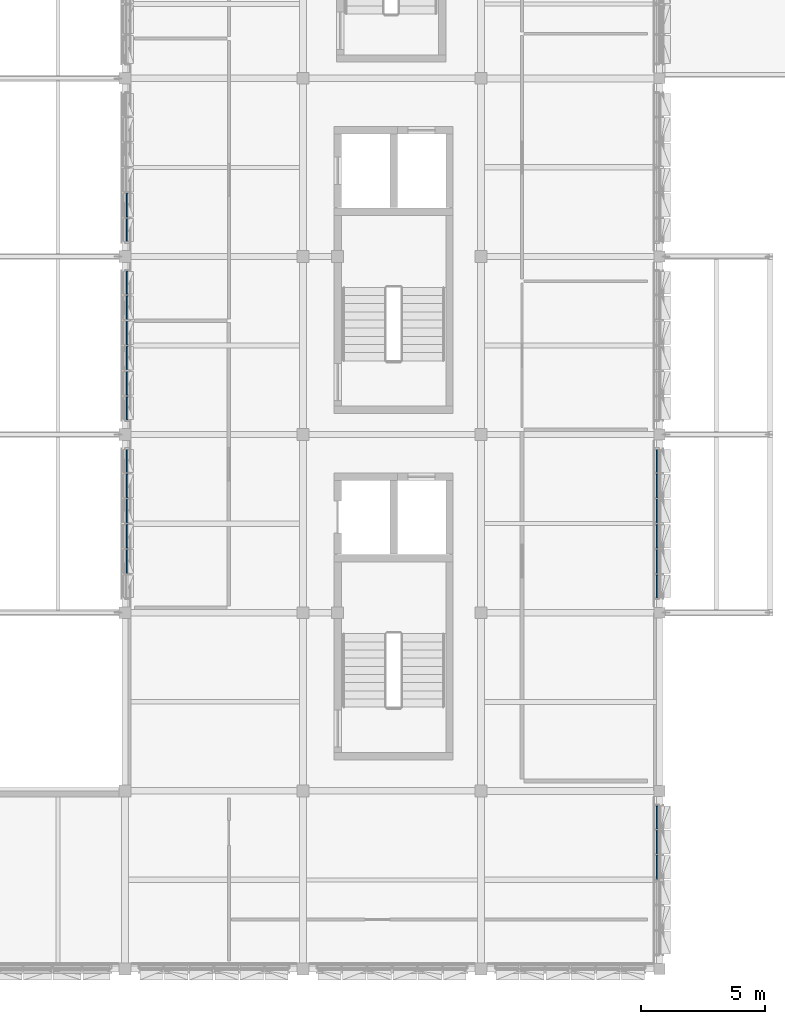
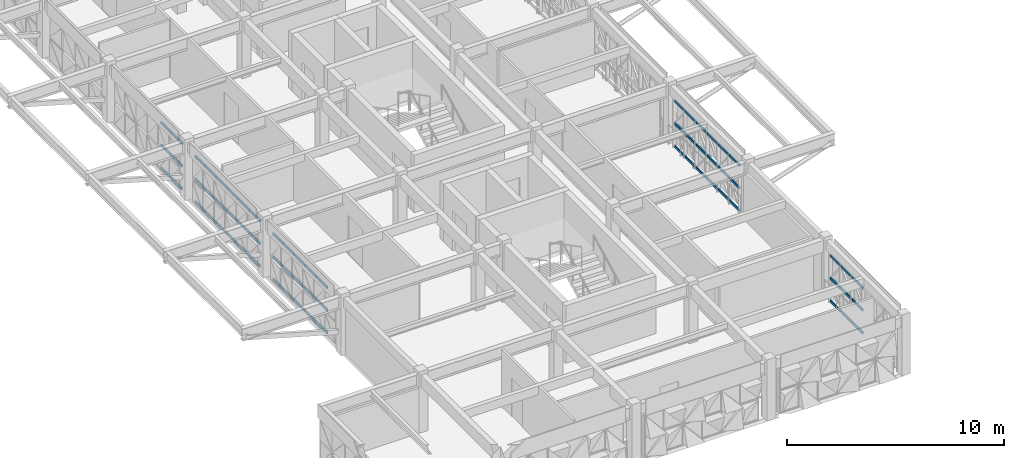
# One storey, part 8 of 30: 66 members, 5 elements without a shape of their own.
"""IFC4 building model written with IfcOpenShell, lengths in metres."""

from ifc_helpers import new_model, si_unit, direction, frame, origin, origin_2d, place, context, subcontext, project, spatial, rectangle, extrude, material, material_profile, profile_set, type_object, element, aggregate, save


model = new_model("IFC4")

# Units and contexts
model_context = context("Model", 3, precision=1e-05, world=origin(), true_north=direction((0.0, 1.0)))
body_context = subcontext(model_context, "Body", "Model", "MODEL_VIEW")
ifc_project = project(units=[si_unit("LENGTHUNIT", "METRE"), si_unit("AREAUNIT", "SQUARE_METRE"), si_unit("VOLUMEUNIT", "CUBIC_METRE"), si_unit("PLANEANGLEUNIT", "RADIAN"), si_unit("MASSUNIT", "GRAM", prefix="KILO")], contexts=[model_context])

# Site, building, storey
site_placement = place(None, origin())
site = spatial("IfcSite", under=ifc_project, at=site_placement, CompositionType="ELEMENT")
building_placement = place(site_placement, origin())
building = spatial("IfcBuilding", under=site, at=building_placement, Name="Alvorim Cloister Faculty of Sciences", CompositionType="ELEMENT")
storey_placement = place(building_placement, frame((0.0, 0.0, 26.25)))
storey = spatial("IfcBuildingStorey", under=building, at=storey_placement, Name="L07", CompositionType="ELEMENT", Elevation=26.25)

# Curtain wall, members
ifc_material_1 = material(Name="Aluminium and Low-E Glass Curtain Wall", Category="aluminium")
curtain_wall_type = type_object("IfcCurtainWallType", Name="CW-TRI-6120x2700", PredefinedType="USERDEFINED", material=ifc_material_1)
curtain_wall_1_placement = place(storey_placement, origin())
curtain_wall_1 = element("IfcCurtainWall", 1, at=curtain_wall_1_placement, inside=storey, type_object=curtain_wall_type, Name="L07 Diagonal Cassette Curtain Wall CW-0267", ObjectType="UNITISED CURTAIN WALL", PredefinedType="USERDEFINED")
ifc_material_2 = material(Name="Aluminium Alloy 6063-T6", Category="aluminium")
ifc_material_profile = material_profile(ifc_material_2, rectangle(XDim=0.06494140625, YDim=0.139892578125, at=origin_2d()), Name="ALU-TRN-65x140")
ifc_profile_set = profile_set([ifc_material_profile], Name="Aluminium Alloy 6063-T6")
member_type = type_object("IfcMemberType", Name="CW-TRN-65x140", PredefinedType="USERDEFINED", material=ifc_profile_set)
member_1_placement = place(storey_placement, frame((7.2900390625, 23.1923828125, 0.070068359375), z_axis=(0.0, 1.0, 0.0), x_axis=(-1.0, 0.0, 0.0)))
member_1 = element("IfcMember", 2, at=member_1_placement, type_object=member_type, Name="CW-0267 Transom 2.1", ObjectType="TRANSOM", PredefinedType="USERDEFINED", context=body_context, shape_type="SweptSolid", body=[
    extrude(rectangle(XDim=0.06494140625, YDim=0.139892578125, at=origin_2d()), origin(), (0.0, 0.0, 1.0), 0.955078125),
])
member_2_placement = place(storey_placement, frame((7.2900390625, 23.1923828125, 1.35009765625), z_axis=(0.0, 1.0, 0.0), x_axis=(-1.0, 0.0, 0.0)))
member_2 = element("IfcMember", 3, at=member_2_placement, type_object=member_type, Name="CW-0267 Transom 2.2", ObjectType="TRANSOM", PredefinedType="USERDEFINED", context=body_context, shape_type="SweptSolid", body=[
    extrude(rectangle(XDim=0.06494140625, YDim=0.139892578125, at=origin_2d()), origin(), (0.0, 0.0, 1.0), 0.955078125),
])
member_3_placement = place(storey_placement, frame((7.2900390625, 23.1923828125, 2.6298828125), z_axis=(0.0, 1.0, 0.0), x_axis=(-1.0, 0.0, 0.0)))
member_3 = element("IfcMember", 4, at=member_3_placement, type_object=member_type, Name="CW-0267 Transom 2.3", ObjectType="TRANSOM", PredefinedType="USERDEFINED", context=body_context, shape_type="SweptSolid", body=[
    extrude(rectangle(XDim=0.06494140625, YDim=0.139892578125, at=origin_2d()), origin(), (0.0, 0.0, 1.0), 0.955078125),
])
member_4_placement = place(storey_placement, frame((7.2900390625, 24.21240234375, 0.070068359375), z_axis=(0.0, 1.0, 0.0), x_axis=(-1.0, 0.0, 0.0)))
member_4 = element("IfcMember", 5, at=member_4_placement, type_object=member_type, Name="CW-0267 Transom 3.1", ObjectType="TRANSOM", PredefinedType="USERDEFINED", context=body_context, shape_type="SweptSolid", body=[
    extrude(rectangle(XDim=0.06494140625, YDim=0.139892578125, at=origin_2d()), origin(), (0.0, 0.0, 1.0), 0.955078125),
])
member_5_placement = place(storey_placement, frame((7.2900390625, 24.21240234375, 1.35009765625), z_axis=(0.0, 1.0, 0.0), x_axis=(-1.0, 0.0, 0.0)))
member_5 = element("IfcMember", 6, at=member_5_placement, type_object=member_type, Name="CW-0267 Transom 3.2", ObjectType="TRANSOM", PredefinedType="USERDEFINED", context=body_context, shape_type="SweptSolid", body=[
    extrude(rectangle(XDim=0.06494140625, YDim=0.139892578125, at=origin_2d()), origin(), (0.0, 0.0, 1.0), 0.955078125),
])
member_6_placement = place(storey_placement, frame((7.2900390625, 24.21240234375, 2.6298828125), z_axis=(0.0, 1.0, 0.0), x_axis=(-1.0, 0.0, 0.0)))
member_6 = element("IfcMember", 7, at=member_6_placement, type_object=member_type, Name="CW-0267 Transom 3.3", ObjectType="TRANSOM", PredefinedType="USERDEFINED", context=body_context, shape_type="SweptSolid", body=[
    extrude(rectangle(XDim=0.06494140625, YDim=0.139892578125, at=origin_2d()), origin(), (0.0, 0.0, 1.0), 0.955078125),
])
member_7_placement = place(storey_placement, frame((7.2900390625, 25.232421875, 0.070068359375), z_axis=(0.0, 1.0, 0.0), x_axis=(-1.0, 0.0, 0.0)))
member_7 = element("IfcMember", 8, at=member_7_placement, type_object=member_type, Name="CW-0267 Transom 4.1", ObjectType="TRANSOM", PredefinedType="USERDEFINED", context=body_context, shape_type="SweptSolid", body=[
    extrude(rectangle(XDim=0.06494140625, YDim=0.139892578125, at=origin_2d()), origin(), (0.0, 0.0, 1.0), 0.955078125),
])
member_8_placement = place(storey_placement, frame((7.2900390625, 25.232421875, 1.35009765625), z_axis=(0.0, 1.0, 0.0), x_axis=(-1.0, 0.0, 0.0)))
member_8 = element("IfcMember", 9, at=member_8_placement, type_object=member_type, Name="CW-0267 Transom 4.2", ObjectType="TRANSOM", PredefinedType="USERDEFINED", context=body_context, shape_type="SweptSolid", body=[
    extrude(rectangle(XDim=0.06494140625, YDim=0.139892578125, at=origin_2d()), origin(), (0.0, 0.0, 1.0), 0.955078125),
])
member_9_placement = place(storey_placement, frame((7.2900390625, 25.232421875, 2.6298828125), z_axis=(0.0, 1.0, 0.0), x_axis=(-1.0, 0.0, 0.0)))
member_9 = element("IfcMember", 10, at=member_9_placement, type_object=member_type, Name="CW-0267 Transom 4.3", ObjectType="TRANSOM", PredefinedType="USERDEFINED", context=body_context, shape_type="SweptSolid", body=[
    extrude(rectangle(XDim=0.06494140625, YDim=0.139892578125, at=origin_2d()), origin(), (0.0, 0.0, 1.0), 0.955078125),
])
member_10_placement = place(storey_placement, frame((7.2900390625, 26.25244140625, 0.070068359375), z_axis=(0.0, 1.0, 0.0), x_axis=(-1.0, 0.0, 0.0)))
member_10 = element("IfcMember", 11, at=member_10_placement, type_object=member_type, Name="CW-0267 Transom 5.1", ObjectType="TRANSOM", PredefinedType="USERDEFINED", context=body_context, shape_type="SweptSolid", body=[
    extrude(rectangle(XDim=0.06494140625, YDim=0.139892578125, at=origin_2d()), origin(), (0.0, 0.0, 1.0), 0.955078125),
])
member_11_placement = place(storey_placement, frame((7.2900390625, 26.25244140625, 1.35009765625), z_axis=(0.0, 1.0, 0.0), x_axis=(-1.0, 0.0, 0.0)))
member_11 = element("IfcMember", 12, at=member_11_placement, type_object=member_type, Name="CW-0267 Transom 5.2", ObjectType="TRANSOM", PredefinedType="USERDEFINED", context=body_context, shape_type="SweptSolid", body=[
    extrude(rectangle(XDim=0.06494140625, YDim=0.139892578125, at=origin_2d()), origin(), (0.0, 0.0, 1.0), 0.955078125),
])
member_12_placement = place(storey_placement, frame((7.2900390625, 26.25244140625, 2.6298828125), z_axis=(0.0, 1.0, 0.0), x_axis=(-1.0, 0.0, 0.0)))
member_12 = element("IfcMember", 13, at=member_12_placement, type_object=member_type, Name="CW-0267 Transom 5.3", ObjectType="TRANSOM", PredefinedType="USERDEFINED", context=body_context, shape_type="SweptSolid", body=[
    extrude(rectangle(XDim=0.06494140625, YDim=0.139892578125, at=origin_2d()), origin(), (0.0, 0.0, 1.0), 0.955078125),
])
member_13_placement = place(storey_placement, frame((7.2900390625, 27.2724609375, 0.070068359375), z_axis=(0.0, 1.0, 0.0), x_axis=(-1.0, 0.0, 0.0)))
member_13 = element("IfcMember", 14, at=member_13_placement, type_object=member_type, Name="CW-0267 Transom 6.1", ObjectType="TRANSOM", PredefinedType="USERDEFINED", context=body_context, shape_type="SweptSolid", body=[
    extrude(rectangle(XDim=0.06494140625, YDim=0.139892578125, at=origin_2d()), origin(), (0.0, 0.0, 1.0), 0.922607421875),
])
member_14_placement = place(storey_placement, frame((7.2900390625, 27.2724609375, 1.35009765625), z_axis=(0.0, 1.0, 0.0), x_axis=(-1.0, 0.0, 0.0)))
member_14 = element("IfcMember", 15, at=member_14_placement, type_object=member_type, Name="CW-0267 Transom 6.2", ObjectType="TRANSOM", PredefinedType="USERDEFINED", context=body_context, shape_type="SweptSolid", body=[
    extrude(rectangle(XDim=0.06494140625, YDim=0.139892578125, at=origin_2d()), origin(), (0.0, 0.0, 1.0), 0.922607421875),
])
member_15_placement = place(storey_placement, frame((7.2900390625, 27.2724609375, 2.6298828125), z_axis=(0.0, 1.0, 0.0), x_axis=(-1.0, 0.0, 0.0)))
member_15 = element("IfcMember", 16, at=member_15_placement, type_object=member_type, Name="CW-0267 Transom 6.3", ObjectType="TRANSOM", PredefinedType="USERDEFINED", context=body_context, shape_type="SweptSolid", body=[
    extrude(rectangle(XDim=0.06494140625, YDim=0.139892578125, at=origin_2d()), origin(), (0.0, 0.0, 1.0), 0.922607421875),
])
aggregate(curtain_wall_1, [member_1, member_2, member_3, member_4, member_5, member_6, member_7, member_8, member_9, member_10, member_11, member_12, member_13, member_14, member_15])

curtain_wall_2_placement = place(storey_placement, origin())
curtain_wall_2 = element("IfcCurtainWall", 17, at=curtain_wall_2_placement, inside=storey, type_object=curtain_wall_type, Name="L07 Diagonal Cassette Curtain Wall CW-0268", ObjectType="UNITISED CURTAIN WALL", PredefinedType="USERDEFINED")
member_16_placement = place(storey_placement, frame((7.2900390625, 29.405029296875, 0.070068359375), z_axis=(0.0, 1.0, 0.0), x_axis=(-1.0, 0.0, 0.0)))
member_16 = element("IfcMember", 18, at=member_16_placement, type_object=member_type, Name="CW-0268 Transom 1.1", ObjectType="TRANSOM", PredefinedType="USERDEFINED", context=body_context, shape_type="SweptSolid", body=[
    extrude(rectangle(XDim=0.06494140625, YDim=0.139892578125, at=origin_2d()), origin(), (0.0, 0.0, 1.0), 0.92236328125),
])
member_17_placement = place(storey_placement, frame((7.2900390625, 29.405029296875, 1.35009765625), z_axis=(0.0, 1.0, 0.0), x_axis=(-1.0, 0.0, 0.0)))
member_17 = element("IfcMember", 19, at=member_17_placement, type_object=member_type, Name="CW-0268 Transom 1.2", ObjectType="TRANSOM", PredefinedType="USERDEFINED", context=body_context, shape_type="SweptSolid", body=[
    extrude(rectangle(XDim=0.06494140625, YDim=0.139892578125, at=origin_2d()), origin(), (0.0, 0.0, 1.0), 0.92236328125),
])
member_18_placement = place(storey_placement, frame((7.2900390625, 29.405029296875, 2.6298828125), z_axis=(0.0, 1.0, 0.0), x_axis=(-1.0, 0.0, 0.0)))
member_18 = element("IfcMember", 20, at=member_18_placement, type_object=member_type, Name="CW-0268 Transom 1.3", ObjectType="TRANSOM", PredefinedType="USERDEFINED", context=body_context, shape_type="SweptSolid", body=[
    extrude(rectangle(XDim=0.06494140625, YDim=0.139892578125, at=origin_2d()), origin(), (0.0, 0.0, 1.0), 0.92236328125),
])
member_19_placement = place(storey_placement, frame((7.2900390625, 30.392578125, 0.070068359375), z_axis=(0.0, 1.0, 0.0), x_axis=(-1.0, 0.0, 0.0)))
member_19 = element("IfcMember", 21, at=member_19_placement, type_object=member_type, Name="CW-0268 Transom 2.1", ObjectType="TRANSOM", PredefinedType="USERDEFINED", context=body_context, shape_type="SweptSolid", body=[
    extrude(rectangle(XDim=0.06494140625, YDim=0.139892578125, at=origin_2d()), origin(), (0.0, 0.0, 1.0), 0.954833984375),
])
member_20_placement = place(storey_placement, frame((7.2900390625, 30.392578125, 1.35009765625), z_axis=(0.0, 1.0, 0.0), x_axis=(-1.0, 0.0, 0.0)))
member_20 = element("IfcMember", 22, at=member_20_placement, type_object=member_type, Name="CW-0268 Transom 2.2", ObjectType="TRANSOM", PredefinedType="USERDEFINED", context=body_context, shape_type="SweptSolid", body=[
    extrude(rectangle(XDim=0.06494140625, YDim=0.139892578125, at=origin_2d()), origin(), (0.0, 0.0, 1.0), 0.954833984375),
])
member_21_placement = place(storey_placement, frame((7.2900390625, 30.392578125, 2.6298828125), z_axis=(0.0, 1.0, 0.0), x_axis=(-1.0, 0.0, 0.0)))
member_21 = element("IfcMember", 23, at=member_21_placement, type_object=member_type, Name="CW-0268 Transom 2.3", ObjectType="TRANSOM", PredefinedType="USERDEFINED", context=body_context, shape_type="SweptSolid", body=[
    extrude(rectangle(XDim=0.06494140625, YDim=0.139892578125, at=origin_2d()), origin(), (0.0, 0.0, 1.0), 0.954833984375),
])
member_22_placement = place(storey_placement, frame((7.2900390625, 31.41259765625, 0.070068359375), z_axis=(0.0, 1.0, 0.0), x_axis=(-1.0, 0.0, 0.0)))
member_22 = element("IfcMember", 24, at=member_22_placement, type_object=member_type, Name="CW-0268 Transom 3.1", ObjectType="TRANSOM", PredefinedType="USERDEFINED", context=body_context, shape_type="SweptSolid", body=[
    extrude(rectangle(XDim=0.06494140625, YDim=0.139892578125, at=origin_2d()), origin(), (0.0, 0.0, 1.0), 0.954833984375),
])
member_23_placement = place(storey_placement, frame((7.2900390625, 31.41259765625, 1.35009765625), z_axis=(0.0, 1.0, 0.0), x_axis=(-1.0, 0.0, 0.0)))
member_23 = element("IfcMember", 25, at=member_23_placement, type_object=member_type, Name="CW-0268 Transom 3.2", ObjectType="TRANSOM", PredefinedType="USERDEFINED", context=body_context, shape_type="SweptSolid", body=[
    extrude(rectangle(XDim=0.06494140625, YDim=0.139892578125, at=origin_2d()), origin(), (0.0, 0.0, 1.0), 0.954833984375),
])
member_24_placement = place(storey_placement, frame((7.2900390625, 31.41259765625, 2.6298828125), z_axis=(0.0, 1.0, 0.0), x_axis=(-1.0, 0.0, 0.0)))
member_24 = element("IfcMember", 26, at=member_24_placement, type_object=member_type, Name="CW-0268 Transom 3.3", ObjectType="TRANSOM", PredefinedType="USERDEFINED", context=body_context, shape_type="SweptSolid", body=[
    extrude(rectangle(XDim=0.06494140625, YDim=0.139892578125, at=origin_2d()), origin(), (0.0, 0.0, 1.0), 0.954833984375),
])
member_25_placement = place(storey_placement, frame((7.2900390625, 32.4326171875, 0.070068359375), z_axis=(0.0, 1.0, 0.0), x_axis=(-1.0, 0.0, 0.0)))
member_25 = element("IfcMember", 27, at=member_25_placement, type_object=member_type, Name="CW-0268 Transom 4.1", ObjectType="TRANSOM", PredefinedType="USERDEFINED", context=body_context, shape_type="SweptSolid", body=[
    extrude(rectangle(XDim=0.06494140625, YDim=0.139892578125, at=origin_2d()), origin(), (0.0, 0.0, 1.0), 0.954833984375),
])
member_26_placement = place(storey_placement, frame((7.2900390625, 32.4326171875, 1.35009765625), z_axis=(0.0, 1.0, 0.0), x_axis=(-1.0, 0.0, 0.0)))
member_26 = element("IfcMember", 28, at=member_26_placement, type_object=member_type, Name="CW-0268 Transom 4.2", ObjectType="TRANSOM", PredefinedType="USERDEFINED", context=body_context, shape_type="SweptSolid", body=[
    extrude(rectangle(XDim=0.06494140625, YDim=0.139892578125, at=origin_2d()), origin(), (0.0, 0.0, 1.0), 0.954833984375),
])
member_27_placement = place(storey_placement, frame((7.2900390625, 32.4326171875, 2.6298828125), z_axis=(0.0, 1.0, 0.0), x_axis=(-1.0, 0.0, 0.0)))
member_27 = element("IfcMember", 29, at=member_27_placement, type_object=member_type, Name="CW-0268 Transom 4.3", ObjectType="TRANSOM", PredefinedType="USERDEFINED", context=body_context, shape_type="SweptSolid", body=[
    extrude(rectangle(XDim=0.06494140625, YDim=0.139892578125, at=origin_2d()), origin(), (0.0, 0.0, 1.0), 0.954833984375),
])
member_28_placement = place(storey_placement, frame((7.2900390625, 33.452392578125, 0.070068359375), z_axis=(0.0, 1.0, 0.0), x_axis=(-1.0, 0.0, 0.0)))
member_28 = element("IfcMember", 30, at=member_28_placement, type_object=member_type, Name="CW-0268 Transom 5.1", ObjectType="TRANSOM", PredefinedType="USERDEFINED", context=body_context, shape_type="SweptSolid", body=[
    extrude(rectangle(XDim=0.06494140625, YDim=0.139892578125, at=origin_2d()), origin(), (0.0, 0.0, 1.0), 0.955078125),
])
member_29_placement = place(storey_placement, frame((7.2900390625, 33.452392578125, 1.35009765625), z_axis=(0.0, 1.0, 0.0), x_axis=(-1.0, 0.0, 0.0)))
member_29 = element("IfcMember", 31, at=member_29_placement, type_object=member_type, Name="CW-0268 Transom 5.2", ObjectType="TRANSOM", PredefinedType="USERDEFINED", context=body_context, shape_type="SweptSolid", body=[
    extrude(rectangle(XDim=0.06494140625, YDim=0.139892578125, at=origin_2d()), origin(), (0.0, 0.0, 1.0), 0.955078125),
])
member_30_placement = place(storey_placement, frame((7.2900390625, 33.452392578125, 2.6298828125), z_axis=(0.0, 1.0, 0.0), x_axis=(-1.0, 0.0, 0.0)))
member_30 = element("IfcMember", 32, at=member_30_placement, type_object=member_type, Name="CW-0268 Transom 5.3", ObjectType="TRANSOM", PredefinedType="USERDEFINED", context=body_context, shape_type="SweptSolid", body=[
    extrude(rectangle(XDim=0.06494140625, YDim=0.139892578125, at=origin_2d()), origin(), (0.0, 0.0, 1.0), 0.955078125),
])
member_31_placement = place(storey_placement, frame((7.2900390625, 34.472412109375, 0.070068359375), z_axis=(0.0, 1.0, 0.0), x_axis=(-1.0, 0.0, 0.0)))
member_31 = element("IfcMember", 33, at=member_31_placement, type_object=member_type, Name="CW-0268 Transom 6.1", ObjectType="TRANSOM", PredefinedType="USERDEFINED", context=body_context, shape_type="SweptSolid", body=[
    extrude(rectangle(XDim=0.06494140625, YDim=0.139892578125, at=origin_2d()), origin(), (0.0, 0.0, 1.0), 0.922607421875),
])
member_32_placement = place(storey_placement, frame((7.2900390625, 34.472412109375, 1.35009765625), z_axis=(0.0, 1.0, 0.0), x_axis=(-1.0, 0.0, 0.0)))
member_32 = element("IfcMember", 34, at=member_32_placement, type_object=member_type, Name="CW-0268 Transom 6.2", ObjectType="TRANSOM", PredefinedType="USERDEFINED", context=body_context, shape_type="SweptSolid", body=[
    extrude(rectangle(XDim=0.06494140625, YDim=0.139892578125, at=origin_2d()), origin(), (0.0, 0.0, 1.0), 0.922607421875),
])
member_33_placement = place(storey_placement, frame((7.2900390625, 34.472412109375, 2.6298828125), z_axis=(0.0, 1.0, 0.0), x_axis=(-1.0, 0.0, 0.0)))
member_33 = element("IfcMember", 35, at=member_33_placement, type_object=member_type, Name="CW-0268 Transom 6.3", ObjectType="TRANSOM", PredefinedType="USERDEFINED", context=body_context, shape_type="SweptSolid", body=[
    extrude(rectangle(XDim=0.06494140625, YDim=0.139892578125, at=origin_2d()), origin(), (0.0, 0.0, 1.0), 0.922607421875),
])
aggregate(curtain_wall_2, [member_16, member_17, member_18, member_19, member_20, member_21, member_22, member_23, member_24, member_25, member_26, member_27, member_28, member_29, member_30, member_31, member_32, member_33])

curtain_wall_3_placement = place(storey_placement, origin())
curtain_wall_3 = element("IfcCurtainWall", 36, at=curtain_wall_3_placement, inside=storey, type_object=curtain_wall_type, Name="L07 Diagonal Cassette Curtain Wall CW-0269", ObjectType="UNITISED CURTAIN WALL", PredefinedType="USERDEFINED")
member_34_placement = place(storey_placement, frame((7.2900390625, 36.60498046875, 0.070068359375), z_axis=(0.0, 1.0, 0.0), x_axis=(-1.0, 0.0, 0.0)))
member_34 = element("IfcMember", 37, at=member_34_placement, type_object=member_type, Name="CW-0269 Transom 1.1", ObjectType="TRANSOM", PredefinedType="USERDEFINED", context=body_context, shape_type="SweptSolid", body=[
    extrude(rectangle(XDim=0.06494140625, YDim=0.139892578125, at=origin_2d()), origin(), (0.0, 0.0, 1.0), 0.922607421875),
])
member_35_placement = place(storey_placement, frame((7.2900390625, 36.60498046875, 1.35009765625), z_axis=(0.0, 1.0, 0.0), x_axis=(-1.0, 0.0, 0.0)))
member_35 = element("IfcMember", 38, at=member_35_placement, type_object=member_type, Name="CW-0269 Transom 1.2", ObjectType="TRANSOM", PredefinedType="USERDEFINED", context=body_context, shape_type="SweptSolid", body=[
    extrude(rectangle(XDim=0.06494140625, YDim=0.139892578125, at=origin_2d()), origin(), (0.0, 0.0, 1.0), 0.922607421875),
])
member_36_placement = place(storey_placement, frame((7.2900390625, 36.60498046875, 2.6298828125), z_axis=(0.0, 1.0, 0.0), x_axis=(-1.0, 0.0, 0.0)))
member_36 = element("IfcMember", 39, at=member_36_placement, type_object=member_type, Name="CW-0269 Transom 1.3", ObjectType="TRANSOM", PredefinedType="USERDEFINED", context=body_context, shape_type="SweptSolid", body=[
    extrude(rectangle(XDim=0.06494140625, YDim=0.139892578125, at=origin_2d()), origin(), (0.0, 0.0, 1.0), 0.922607421875),
])
member_37_placement = place(storey_placement, frame((7.2900390625, 37.592529296875, 0.070068359375), z_axis=(0.0, 1.0, 0.0), x_axis=(-1.0, 0.0, 0.0)))
member_37 = element("IfcMember", 40, at=member_37_placement, type_object=member_type, Name="CW-0269 Transom 2.1", ObjectType="TRANSOM", PredefinedType="USERDEFINED", context=body_context, shape_type="SweptSolid", body=[
    extrude(rectangle(XDim=0.06494140625, YDim=0.139892578125, at=origin_2d()), origin(), (0.0, 0.0, 1.0), 0.955078125),
])
member_38_placement = place(storey_placement, frame((7.2900390625, 37.592529296875, 1.35009765625), z_axis=(0.0, 1.0, 0.0), x_axis=(-1.0, 0.0, 0.0)))
member_38 = element("IfcMember", 41, at=member_38_placement, type_object=member_type, Name="CW-0269 Transom 2.2", ObjectType="TRANSOM", PredefinedType="USERDEFINED", context=body_context, shape_type="SweptSolid", body=[
    extrude(rectangle(XDim=0.06494140625, YDim=0.139892578125, at=origin_2d()), origin(), (0.0, 0.0, 1.0), 0.955078125),
])
member_39_placement = place(storey_placement, frame((7.2900390625, 37.592529296875, 2.6298828125), z_axis=(0.0, 1.0, 0.0), x_axis=(-1.0, 0.0, 0.0)))
member_39 = element("IfcMember", 42, at=member_39_placement, type_object=member_type, Name="CW-0269 Transom 2.3", ObjectType="TRANSOM", PredefinedType="USERDEFINED", context=body_context, shape_type="SweptSolid", body=[
    extrude(rectangle(XDim=0.06494140625, YDim=0.139892578125, at=origin_2d()), origin(), (0.0, 0.0, 1.0), 0.955078125),
])
aggregate(curtain_wall_3, [member_34, member_35, member_36, member_37, member_38, member_39])

curtain_wall_4_placement = place(storey_placement, origin())
curtain_wall_4 = element("IfcCurtainWall", 43, at=curtain_wall_4_placement, inside=storey, type_object=curtain_wall_type, Name="L07 Diagonal Cassette Curtain Wall CW-0279", ObjectType="UNITISED CURTAIN WALL", PredefinedType="USERDEFINED")
member_40_placement = place(storey_placement, frame((28.7099609375, 22.205078125, 0.070068359375), z_axis=(0.0, 1.0, 0.0), x_axis=(-1.0, 0.0, 0.0)))
member_40 = element("IfcMember", 44, at=member_40_placement, type_object=member_type, Name="CW-0279 Transom 1.1", ObjectType="TRANSOM", PredefinedType="USERDEFINED", context=body_context, shape_type="SweptSolid", body=[
    extrude(rectangle(XDim=0.06494140625, YDim=0.139892578125, at=origin_2d()), origin(), (0.0, 0.0, 1.0), 0.92236328125),
])
member_41_placement = place(storey_placement, frame((28.7099609375, 22.205078125, 1.35009765625), z_axis=(0.0, 1.0, 0.0), x_axis=(-1.0, 0.0, 0.0)))
member_41 = element("IfcMember", 45, at=member_41_placement, type_object=member_type, Name="CW-0279 Transom 1.2", ObjectType="TRANSOM", PredefinedType="USERDEFINED", context=body_context, shape_type="SweptSolid", body=[
    extrude(rectangle(XDim=0.06494140625, YDim=0.139892578125, at=origin_2d()), origin(), (0.0, 0.0, 1.0), 0.92236328125),
])
member_42_placement = place(storey_placement, frame((28.7099609375, 22.205078125, 2.6298828125), z_axis=(0.0, 1.0, 0.0), x_axis=(-1.0, 0.0, 0.0)))
member_42 = element("IfcMember", 46, at=member_42_placement, type_object=member_type, Name="CW-0279 Transom 1.3", ObjectType="TRANSOM", PredefinedType="USERDEFINED", context=body_context, shape_type="SweptSolid", body=[
    extrude(rectangle(XDim=0.06494140625, YDim=0.139892578125, at=origin_2d()), origin(), (0.0, 0.0, 1.0), 0.92236328125),
])
member_43_placement = place(storey_placement, frame((28.7099609375, 23.1923828125, 0.070068359375), z_axis=(0.0, 1.0, 0.0), x_axis=(-1.0, 0.0, 0.0)))
member_43 = element("IfcMember", 47, at=member_43_placement, type_object=member_type, Name="CW-0279 Transom 2.1", ObjectType="TRANSOM", PredefinedType="USERDEFINED", context=body_context, shape_type="SweptSolid", body=[
    extrude(rectangle(XDim=0.06494140625, YDim=0.139892578125, at=origin_2d()), origin(), (0.0, 0.0, 1.0), 0.955078125),
])
member_44_placement = place(storey_placement, frame((28.7099609375, 23.1923828125, 1.35009765625), z_axis=(0.0, 1.0, 0.0), x_axis=(-1.0, 0.0, 0.0)))
member_44 = element("IfcMember", 48, at=member_44_placement, type_object=member_type, Name="CW-0279 Transom 2.2", ObjectType="TRANSOM", PredefinedType="USERDEFINED", context=body_context, shape_type="SweptSolid", body=[
    extrude(rectangle(XDim=0.06494140625, YDim=0.139892578125, at=origin_2d()), origin(), (0.0, 0.0, 1.0), 0.955078125),
])
member_45_placement = place(storey_placement, frame((28.7099609375, 23.1923828125, 2.6298828125), z_axis=(0.0, 1.0, 0.0), x_axis=(-1.0, 0.0, 0.0)))
member_45 = element("IfcMember", 49, at=member_45_placement, type_object=member_type, Name="CW-0279 Transom 2.3", ObjectType="TRANSOM", PredefinedType="USERDEFINED", context=body_context, shape_type="SweptSolid", body=[
    extrude(rectangle(XDim=0.06494140625, YDim=0.139892578125, at=origin_2d()), origin(), (0.0, 0.0, 1.0), 0.955078125),
])
member_46_placement = place(storey_placement, frame((28.7099609375, 24.21240234375, 0.070068359375), z_axis=(0.0, 1.0, 0.0), x_axis=(-1.0, 0.0, 0.0)))
member_46 = element("IfcMember", 50, at=member_46_placement, type_object=member_type, Name="CW-0279 Transom 3.1", ObjectType="TRANSOM", PredefinedType="USERDEFINED", context=body_context, shape_type="SweptSolid", body=[
    extrude(rectangle(XDim=0.06494140625, YDim=0.139892578125, at=origin_2d()), origin(), (0.0, 0.0, 1.0), 0.955078125),
])
member_47_placement = place(storey_placement, frame((28.7099609375, 24.21240234375, 1.35009765625), z_axis=(0.0, 1.0, 0.0), x_axis=(-1.0, 0.0, 0.0)))
member_47 = element("IfcMember", 51, at=member_47_placement, type_object=member_type, Name="CW-0279 Transom 3.2", ObjectType="TRANSOM", PredefinedType="USERDEFINED", context=body_context, shape_type="SweptSolid", body=[
    extrude(rectangle(XDim=0.06494140625, YDim=0.139892578125, at=origin_2d()), origin(), (0.0, 0.0, 1.0), 0.955078125),
])
member_48_placement = place(storey_placement, frame((28.7099609375, 24.21240234375, 2.6298828125), z_axis=(0.0, 1.0, 0.0), x_axis=(-1.0, 0.0, 0.0)))
member_48 = element("IfcMember", 52, at=member_48_placement, type_object=member_type, Name="CW-0279 Transom 3.3", ObjectType="TRANSOM", PredefinedType="USERDEFINED", context=body_context, shape_type="SweptSolid", body=[
    extrude(rectangle(XDim=0.06494140625, YDim=0.139892578125, at=origin_2d()), origin(), (0.0, 0.0, 1.0), 0.955078125),
])
member_49_placement = place(storey_placement, frame((28.7099609375, 25.232421875, 0.070068359375), z_axis=(0.0, 1.0, 0.0), x_axis=(-1.0, 0.0, 0.0)))
member_49 = element("IfcMember", 53, at=member_49_placement, type_object=member_type, Name="CW-0279 Transom 4.1", ObjectType="TRANSOM", PredefinedType="USERDEFINED", context=body_context, shape_type="SweptSolid", body=[
    extrude(rectangle(XDim=0.06494140625, YDim=0.139892578125, at=origin_2d()), origin(), (0.0, 0.0, 1.0), 0.955078125),
])
member_50_placement = place(storey_placement, frame((28.7099609375, 25.232421875, 1.35009765625), z_axis=(0.0, 1.0, 0.0), x_axis=(-1.0, 0.0, 0.0)))
member_50 = element("IfcMember", 54, at=member_50_placement, type_object=member_type, Name="CW-0279 Transom 4.2", ObjectType="TRANSOM", PredefinedType="USERDEFINED", context=body_context, shape_type="SweptSolid", body=[
    extrude(rectangle(XDim=0.06494140625, YDim=0.139892578125, at=origin_2d()), origin(), (0.0, 0.0, 1.0), 0.955078125),
])
member_51_placement = place(storey_placement, frame((28.7099609375, 25.232421875, 2.6298828125), z_axis=(0.0, 1.0, 0.0), x_axis=(-1.0, 0.0, 0.0)))
member_51 = element("IfcMember", 55, at=member_51_placement, type_object=member_type, Name="CW-0279 Transom 4.3", ObjectType="TRANSOM", PredefinedType="USERDEFINED", context=body_context, shape_type="SweptSolid", body=[
    extrude(rectangle(XDim=0.06494140625, YDim=0.139892578125, at=origin_2d()), origin(), (0.0, 0.0, 1.0), 0.955078125),
])
member_52_placement = place(storey_placement, frame((28.7099609375, 26.25244140625, 0.070068359375), z_axis=(0.0, 1.0, 0.0), x_axis=(-1.0, 0.0, 0.0)))
member_52 = element("IfcMember", 56, at=member_52_placement, type_object=member_type, Name="CW-0279 Transom 5.1", ObjectType="TRANSOM", PredefinedType="USERDEFINED", context=body_context, shape_type="SweptSolid", body=[
    extrude(rectangle(XDim=0.06494140625, YDim=0.139892578125, at=origin_2d()), origin(), (0.0, 0.0, 1.0), 0.955078125),
])
member_53_placement = place(storey_placement, frame((28.7099609375, 26.25244140625, 1.35009765625), z_axis=(0.0, 1.0, 0.0), x_axis=(-1.0, 0.0, 0.0)))
member_53 = element("IfcMember", 57, at=member_53_placement, type_object=member_type, Name="CW-0279 Transom 5.2", ObjectType="TRANSOM", PredefinedType="USERDEFINED", context=body_context, shape_type="SweptSolid", body=[
    extrude(rectangle(XDim=0.06494140625, YDim=0.139892578125, at=origin_2d()), origin(), (0.0, 0.0, 1.0), 0.955078125),
])
member_54_placement = place(storey_placement, frame((28.7099609375, 26.25244140625, 2.6298828125), z_axis=(0.0, 1.0, 0.0), x_axis=(-1.0, 0.0, 0.0)))
member_54 = element("IfcMember", 58, at=member_54_placement, type_object=member_type, Name="CW-0279 Transom 5.3", ObjectType="TRANSOM", PredefinedType="USERDEFINED", context=body_context, shape_type="SweptSolid", body=[
    extrude(rectangle(XDim=0.06494140625, YDim=0.139892578125, at=origin_2d()), origin(), (0.0, 0.0, 1.0), 0.955078125),
])
member_55_placement = place(storey_placement, frame((28.7099609375, 27.2724609375, 0.070068359375), z_axis=(0.0, 1.0, 0.0), x_axis=(-1.0, 0.0, 0.0)))
member_55 = element("IfcMember", 59, at=member_55_placement, type_object=member_type, Name="CW-0279 Transom 6.1", ObjectType="TRANSOM", PredefinedType="USERDEFINED", context=body_context, shape_type="SweptSolid", body=[
    extrude(rectangle(XDim=0.06494140625, YDim=0.139892578125, at=origin_2d()), origin(), (0.0, 0.0, 1.0), 0.922607421875),
])
member_56_placement = place(storey_placement, frame((28.7099609375, 27.2724609375, 1.35009765625), z_axis=(0.0, 1.0, 0.0), x_axis=(-1.0, 0.0, 0.0)))
member_56 = element("IfcMember", 60, at=member_56_placement, type_object=member_type, Name="CW-0279 Transom 6.2", ObjectType="TRANSOM", PredefinedType="USERDEFINED", context=body_context, shape_type="SweptSolid", body=[
    extrude(rectangle(XDim=0.06494140625, YDim=0.139892578125, at=origin_2d()), origin(), (0.0, 0.0, 1.0), 0.922607421875),
])
member_57_placement = place(storey_placement, frame((28.7099609375, 27.2724609375, 2.6298828125), z_axis=(0.0, 1.0, 0.0), x_axis=(-1.0, 0.0, 0.0)))
member_57 = element("IfcMember", 61, at=member_57_placement, type_object=member_type, Name="CW-0279 Transom 6.3", ObjectType="TRANSOM", PredefinedType="USERDEFINED", context=body_context, shape_type="SweptSolid", body=[
    extrude(rectangle(XDim=0.06494140625, YDim=0.139892578125, at=origin_2d()), origin(), (0.0, 0.0, 1.0), 0.922607421875),
])
aggregate(curtain_wall_4, [member_40, member_41, member_42, member_43, member_44, member_45, member_46, member_47, member_48, member_49, member_50, member_51, member_52, member_53, member_54, member_55, member_56, member_57])

curtain_wall_5_placement = place(storey_placement, origin())
curtain_wall_5 = element("IfcCurtainWall", 62, at=curtain_wall_5_placement, inside=storey, type_object=curtain_wall_type, Name="L07 Diagonal Cassette Curtain Wall CW-0280", ObjectType="UNITISED CURTAIN WALL", PredefinedType="USERDEFINED")
member_58_placement = place(storey_placement, frame((28.7099609375, 10.83251953125, 0.070068359375), z_axis=(0.0, 1.0, 0.0), x_axis=(-1.0, 0.0, 0.0)))
member_58 = element("IfcMember", 63, at=member_58_placement, type_object=member_type, Name="CW-0280 Transom 4.1", ObjectType="TRANSOM", PredefinedType="USERDEFINED", context=body_context, shape_type="SweptSolid", body=[
    extrude(rectangle(XDim=0.06494140625, YDim=0.139892578125, at=origin_2d()), origin(), (0.0, 0.0, 1.0), 0.955078125),
])
member_59_placement = place(storey_placement, frame((28.7099609375, 10.83251953125, 1.35009765625), z_axis=(0.0, 1.0, 0.0), x_axis=(-1.0, 0.0, 0.0)))
member_59 = element("IfcMember", 64, at=member_59_placement, type_object=member_type, Name="CW-0280 Transom 4.2", ObjectType="TRANSOM", PredefinedType="USERDEFINED", context=body_context, shape_type="SweptSolid", body=[
    extrude(rectangle(XDim=0.06494140625, YDim=0.139892578125, at=origin_2d()), origin(), (0.0, 0.0, 1.0), 0.955078125),
])
member_60_placement = place(storey_placement, frame((28.7099609375, 10.83251953125, 2.6298828125), z_axis=(0.0, 1.0, 0.0), x_axis=(-1.0, 0.0, 0.0)))
member_60 = element("IfcMember", 65, at=member_60_placement, type_object=member_type, Name="CW-0280 Transom 4.3", ObjectType="TRANSOM", PredefinedType="USERDEFINED", context=body_context, shape_type="SweptSolid", body=[
    extrude(rectangle(XDim=0.06494140625, YDim=0.139892578125, at=origin_2d()), origin(), (0.0, 0.0, 1.0), 0.955078125),
])
member_61_placement = place(storey_placement, frame((28.7099609375, 11.8525390625, 0.070068359375), z_axis=(0.0, 1.0, 0.0), x_axis=(-1.0, 0.0, 0.0)))
member_61 = element("IfcMember", 66, at=member_61_placement, type_object=member_type, Name="CW-0280 Transom 5.1", ObjectType="TRANSOM", PredefinedType="USERDEFINED", context=body_context, shape_type="SweptSolid", body=[
    extrude(rectangle(XDim=0.06494140625, YDim=0.139892578125, at=origin_2d()), origin(), (0.0, 0.0, 1.0), 0.955078125),
])
member_62_placement = place(storey_placement, frame((28.7099609375, 11.8525390625, 1.35009765625), z_axis=(0.0, 1.0, 0.0), x_axis=(-1.0, 0.0, 0.0)))
member_62 = element("IfcMember", 67, at=member_62_placement, type_object=member_type, Name="CW-0280 Transom 5.2", ObjectType="TRANSOM", PredefinedType="USERDEFINED", context=body_context, shape_type="SweptSolid", body=[
    extrude(rectangle(XDim=0.06494140625, YDim=0.139892578125, at=origin_2d()), origin(), (0.0, 0.0, 1.0), 0.955078125),
])
member_63_placement = place(storey_placement, frame((28.7099609375, 11.8525390625, 2.6298828125), z_axis=(0.0, 1.0, 0.0), x_axis=(-1.0, 0.0, 0.0)))
member_63 = element("IfcMember", 68, at=member_63_placement, type_object=member_type, Name="CW-0280 Transom 5.3", ObjectType="TRANSOM", PredefinedType="USERDEFINED", context=body_context, shape_type="SweptSolid", body=[
    extrude(rectangle(XDim=0.06494140625, YDim=0.139892578125, at=origin_2d()), origin(), (0.0, 0.0, 1.0), 0.955078125),
])
member_64_placement = place(storey_placement, frame((28.7099609375, 12.87255859375, 0.070068359375), z_axis=(0.0, 1.0, 0.0), x_axis=(-1.0, 0.0, 0.0)))
member_64 = element("IfcMember", 69, at=member_64_placement, type_object=member_type, Name="CW-0280 Transom 6.1", ObjectType="TRANSOM", PredefinedType="USERDEFINED", context=body_context, shape_type="SweptSolid", body=[
    extrude(rectangle(XDim=0.06494140625, YDim=0.139892578125, at=origin_2d()), origin(), (0.0, 0.0, 1.0), 0.92236328125),
])
member_65_placement = place(storey_placement, frame((28.7099609375, 12.87255859375, 1.35009765625), z_axis=(0.0, 1.0, 0.0), x_axis=(-1.0, 0.0, 0.0)))
member_65 = element("IfcMember", 70, at=member_65_placement, type_object=member_type, Name="CW-0280 Transom 6.2", ObjectType="TRANSOM", PredefinedType="USERDEFINED", context=body_context, shape_type="SweptSolid", body=[
    extrude(rectangle(XDim=0.06494140625, YDim=0.139892578125, at=origin_2d()), origin(), (0.0, 0.0, 1.0), 0.92236328125),
])
member_66_placement = place(storey_placement, frame((28.7099609375, 12.87255859375, 2.6298828125), z_axis=(0.0, 1.0, 0.0), x_axis=(-1.0, 0.0, 0.0)))
member_66 = element("IfcMember", 71, at=member_66_placement, type_object=member_type, Name="CW-0280 Transom 6.3", ObjectType="TRANSOM", PredefinedType="USERDEFINED", context=body_context, shape_type="SweptSolid", body=[
    extrude(rectangle(XDim=0.06494140625, YDim=0.139892578125, at=origin_2d()), origin(), (0.0, 0.0, 1.0), 0.92236328125),
])
aggregate(curtain_wall_5, [member_58, member_59, member_60, member_61, member_62, member_63, member_64, member_65, member_66])

save(model, "model.ifc")
